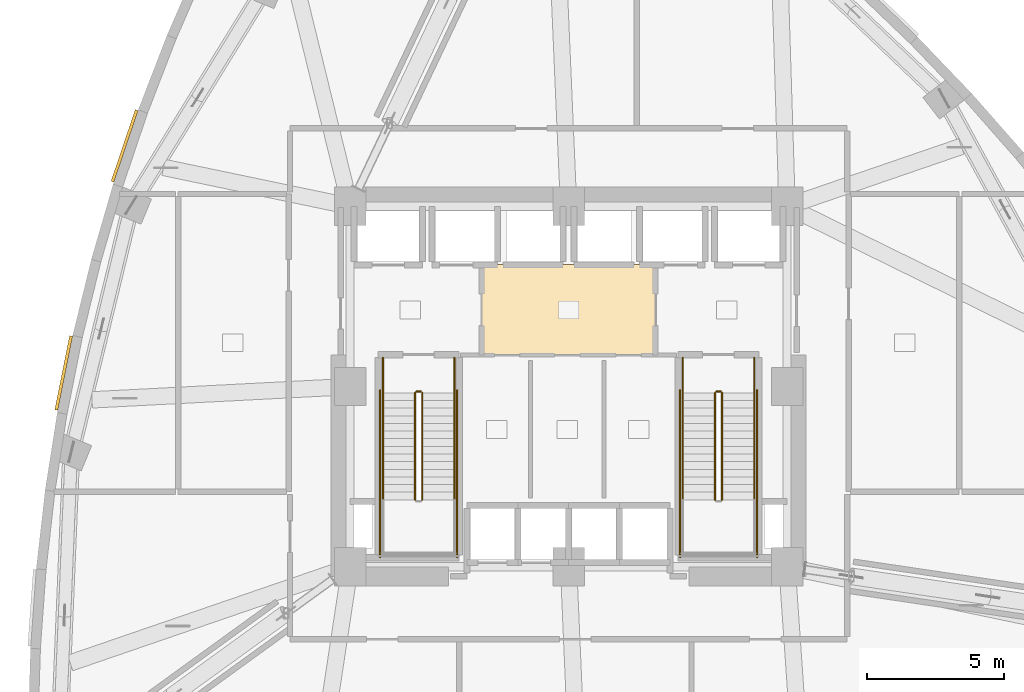
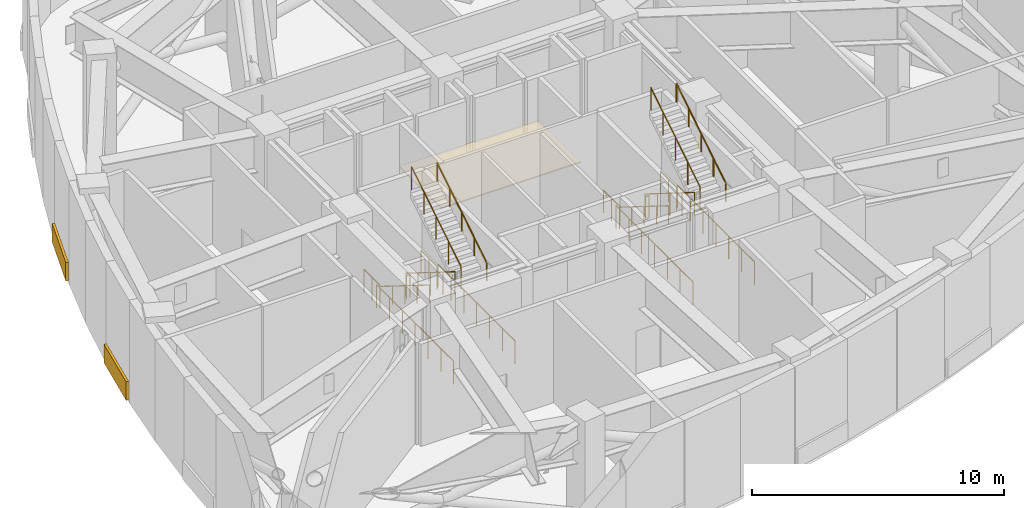
# One storey, part 12 of 13: 18 railings, 3 coverings.
"""IFC4 building model written with IfcOpenShell, lengths in metres."""

import ifcopenshell
import ifcopenshell.guid

model = None  # the IFC model being written
_history = None  # IfcOwnerHistory: only IFC2X3 demands one
_inside = {}  # id of a spatial element -> (the spatial element, [elements in it])
_under = {}  # id of a project, library or spatial element -> (it, [spatial elements below it])
_declared = {}  # id of a project -> (the project, [libraries it declares])
_typed = {}  # id of a type object -> (the type object, [elements of that type])
_made_of = {}  # id of a material, layer set ... -> (it, [elements and type objects made of it])


def new_model(schema):
    """Start an empty IFC model of exactly this schema.

    Asked for "IFC4X3", IfcOpenShell would pick the latest addendum, in which some entities
    have other attributes; the version numbers below select the first issue.
    IFC2X3 requires an IfcOwnerHistory on every rooted entity: one is made here for all.
    """
    global model, _history
    if schema == "IFC4X3":
        model = ifcopenshell.file(schema_version=(4, 3, 0, 0))
    else:
        model = ifcopenshell.file(schema=schema)
    _inside.clear()
    _under.clear()
    _declared.clear()
    _typed.clear()
    _made_of.clear()
    _history = None
    if model.schema == "IFC2X3":
        org = make("IfcOrganization", Name="unknown")
        user = make(
            "IfcPersonAndOrganization",
            ThePerson=make("IfcPerson", FamilyName="unknown"),
            TheOrganization=org,
        )
        app = make(
            "IfcApplication",
            ApplicationDeveloper=org,
            Version="unknown",
            ApplicationFullName="unknown",
            ApplicationIdentifier="unknown",
        )
        _history = make(
            "IfcOwnerHistory",
            OwningUser=user,
            OwningApplication=app,
            ChangeAction="ADDED",
            CreationDate=0,
        )
    return model


def make(cls, **values):
    """One entity of the class cls with the attributes given. An attribute that is None is left unset."""
    return model.create_entity(
        cls, **{name: value for name, value in values.items() if value is not None}
    )


def rooted(cls, **values):
    """An entity with a GlobalId (a new one), such as an element, a storey or a relation."""
    return make(cls, GlobalId=ifcopenshell.guid.new(), OwnerHistory=_history, **values)


def si_unit(unit_type, name, prefix=None):
    """IfcSIUnit, for example si_unit("LENGTHUNIT", "METRE", prefix="MILLI")."""
    return make("IfcSIUnit", UnitType=unit_type, Prefix=prefix, Name=name)


def assignment(units):
    """IfcUnitAssignment: the units of a project."""
    return None if units is None else make("IfcUnitAssignment", Units=units)


def point(xyz):
    """IfcCartesianPoint."""
    return None if xyz is None else make("IfcCartesianPoint", Coordinates=xyz)


def direction(xyz):
    """IfcDirection."""
    return None if xyz is None else make("IfcDirection", DirectionRatios=xyz)


def frame(location, z_axis=None, x_axis=None):
    """IfcAxis2Placement3D, a coordinate frame: its origin and axes. An axis left out is left unset."""
    return make(
        "IfcAxis2Placement3D",
        Location=point(location),
        Axis=direction(z_axis),
        RefDirection=direction(x_axis),
    )


def frame_2d(location, x_axis=None):
    """IfcAxis2Placement2D, a coordinate frame in the plane: its origin and x axis."""
    return make(
        "IfcAxis2Placement2D", Location=point(location), RefDirection=direction(x_axis)
    )


def origin():
    """The frame at (0, 0, 0) with its axes left unset."""
    return frame((0.0, 0.0, 0.0))


def origin_2d():
    """The frame at (0, 0) in the plane with its x axis left unset."""
    return frame_2d((0.0, 0.0))


def place(relative_to, where):
    """IfcLocalPlacement: puts the frame where relative to a parent placement (None: the world)."""
    return make(
        "IfcLocalPlacement", PlacementRelTo=relative_to, RelativePlacement=where
    )


def context(
    kind, dimensions, precision=None, world=None, true_north=None, identifier=None
):
    """IfcGeometricRepresentationContext, for example the 3D "Model" context."""
    return make(
        "IfcGeometricRepresentationContext",
        ContextIdentifier=identifier,
        ContextType=kind,
        CoordinateSpaceDimension=dimensions,
        Precision=precision,
        WorldCoordinateSystem=world,
        TrueNorth=true_north,
    )


def subcontext(parent, identifier, kind, view, scale=None):
    """IfcGeometricRepresentationSubContext, for example "Body" below "Model"."""
    return make(
        "IfcGeometricRepresentationSubContext",
        ContextIdentifier=identifier,
        ContextType=kind,
        ParentContext=parent,
        TargetScale=scale,
        TargetView=view,
    )


def project(units=None, contexts=None):
    """IfcProject with its units and contexts."""
    return rooted(
        "IfcProject",
        Name="project",
        RepresentationContexts=contexts,
        UnitsInContext=assignment(units),
    )


def spatial(cls, under=None, at=None, **own):
    """A site, building, storey or space (cls), placed at a placement, below another one or the project."""
    s = rooted(cls, ObjectPlacement=at, **own)
    if under is not None:
        _under.setdefault(under.id(), (under, []))[1].append(s)
    return s


def profile(cls, at=None, kind="AREA", **sizes):
    """A parametric profile (cls). Its sizes go by their IFC names, for example OverallWidth=200.0."""
    return make(cls, ProfileType=kind, Position=at, **sizes)


def rectangle(**sizes):
    """IfcRectangleProfileDef."""
    return profile("IfcRectangleProfileDef", **sizes)


def circle(**sizes):
    """IfcCircleProfileDef."""
    return profile("IfcCircleProfileDef", **sizes)


def extrude(swept, where, along, depth):
    """IfcExtrudedAreaSolid: the profile swept, set in the frame where, extruded along a direction by depth."""
    return make(
        "IfcExtrudedAreaSolid",
        SweptArea=swept,
        Position=where,
        ExtrudedDirection=direction(along),
        Depth=depth,
    )


def shape(context_of_items, identifier, shape_type, items):
    """IfcShapeRepresentation: the items that make up one representation, for example the "Body"."""
    return make(
        "IfcShapeRepresentation",
        ContextOfItems=context_of_items,
        RepresentationIdentifier=identifier,
        RepresentationType=shape_type,
        Items=items,
    )


def material(Name=None, Category=None):
    """IfcMaterial."""
    return make("IfcMaterial", Name=Name, Category=Category)


def layer(
    of_material, thickness, ventilated=None, Name=None, Category=None, Priority=None
):
    """IfcMaterialLayer: one layer of a wall or slab, of a material (None: an air gap)."""
    return make(
        "IfcMaterialLayer",
        Material=of_material,
        LayerThickness=thickness,
        IsVentilated=ventilated,
        Name=Name,
        Category=Category,
        Priority=Priority,
    )


def layer_set(layers, Name=None):
    """IfcMaterialLayerSet."""
    return make("IfcMaterialLayerSet", MaterialLayers=layers, LayerSetName=Name)


def made_of(thing, what):
    """Note that an element or type object is made of a material, layer set ...; save() writes the relation."""
    if what is not None:
        _made_of.setdefault(what.id(), (what, []))[1].append(thing)
    return thing


def type_object(cls, material=None, **own):
    """A type object (cls), such as IfcWallType, which elements share."""
    return made_of(rooted(cls, **own), material)


def element(
    cls,
    number,
    at=None,
    inside=None,
    cuts=None,
    type_object=None,
    material=None,
    context=None,
    identifier="Body",
    shape_type=None,
    held_by="IfcProductDefinitionShape",
    body=None,
    shapes=None,
    **own,
):
    """One element of the class cls, such as IfcWall. Its Tag is "e" and its number.

    at: its placement. inside: the storey or other place that contains it. cuts: it is an
    opening in that element (IfcRelVoidsElement). A single representation is given by context,
    identifier, shape_type and body (its items); several are given by shapes. held_by: the class
    of the entity that holds the representations. save() writes the other relations.
    """
    e = rooted(cls, Tag="e%d" % number, ObjectPlacement=at, **own)
    if body is not None:
        shapes = [shape(context, identifier, shape_type, body)]
    if shapes is not None:
        e.Representation = make(held_by, Representations=shapes)
    if inside is not None:
        _inside.setdefault(inside.id(), (inside, []))[1].append(e)
    if cuts is not None:
        rooted(
            "IfcRelVoidsElement", RelatingBuildingElement=cuts, RelatedOpeningElement=e
        )
    if type_object is not None:
        _typed.setdefault(type_object.id(), (type_object, []))[1].append(e)
    return made_of(e, material)


def aggregate(whole, parts):
    """IfcRelAggregates: a whole, such as a stair, and the parts it consists of."""
    return rooted("IfcRelAggregates", RelatingObject=whole, RelatedObjects=parts)


def save(model, path):
    """Write the relations noted so far, then the file.

    IfcRelAggregates (storeys below a building ...), IfcRelContainedInSpatialStructure (elements
    in a storey), IfcRelDefinesByType, IfcRelAssociatesMaterial and IfcRelDeclares: one each for
    every whole, place, type object, material and project.
    """
    for whole, parts in _under.values():
        aggregate(whole, parts)
    for where, things in _inside.values():
        rooted(
            "IfcRelContainedInSpatialStructure",
            RelatedElements=things,
            RelatingStructure=where,
        )
    for kind, things in _typed.values():
        rooted("IfcRelDefinesByType", RelatedObjects=things, RelatingType=kind)
    for what, things in _made_of.values():
        rooted("IfcRelAssociatesMaterial", RelatedObjects=things, RelatingMaterial=what)
    for by, libraries in _declared.values():
        rooted("IfcRelDeclares", RelatingContext=by, RelatedDefinitions=libraries)
    model.write(path)


model = new_model("IFC4")

# Units and contexts
model_context = context("Model", 3, precision=1e-05, world=origin(), true_north=direction((0.0, 1.0)))
body_context = subcontext(model_context, "Body", "Model", "MODEL_VIEW")
ifc_project = project(units=[si_unit("LENGTHUNIT", "METRE"), si_unit("AREAUNIT", "SQUARE_METRE"), si_unit("VOLUMEUNIT", "CUBIC_METRE"), si_unit("PLANEANGLEUNIT", "RADIAN"), si_unit("MASSUNIT", "GRAM", prefix="KILO")], contexts=[model_context])

# Site, building, storey
site_placement = place(None, origin())
site = spatial("IfcSite", under=ifc_project, at=site_placement, CompositionType="ELEMENT")
building_placement = place(site_placement, origin())
building = spatial("IfcBuilding", under=site, at=building_placement, Name="Ndelora Gate Hotel", CompositionType="ELEMENT")
storey_placement = place(building_placement, frame((0.0, 0.0, 83.0)))
storey = spatial("IfcBuildingStorey", under=building, at=storey_placement, Name="L20", CompositionType="ELEMENT", Elevation=83.0)

# Coverings
ifc_material_1 = material(Name="Perforated Acoustic Gypsum Board", Category="gypsum")
ifc_layer_1 = layer(ifc_material_1, 0.054931640625)
ifc_layer_set_1 = layer_set([ifc_layer_1], Name="Perforated Acoustic Gypsum Board")
covering_type_1 = type_object("IfcCoveringType", Name="COV-CEIL-AC60", PredefinedType="CEILING", material=ifc_layer_set_1)
covering_placement = place(storey_placement, frame((0.0, 2.800048828125, 2.72265625), z_axis=(0.0, 0.0, 1.0), x_axis=(1.0, 0.0, 0.0)))
element("IfcCovering", 1, at=covering_placement, inside=storey, type_object=covering_type_1, Name="L20 Lift Lobby Acoustic Ceiling", PredefinedType="CEILING", context=body_context, shape_type="SweptSolid", body=[
    extrude(rectangle(XDim=6.39990234375, YDim=3.340087890625, at=origin_2d()), origin(), (0.0, 0.0, 1.0), 0.054931640625),
])
ifc_material_2 = material(Name="Terracotta Fired Clay Brick Slip Cladding", Category="masonry")
ifc_layer_2 = layer(ifc_material_2, 0.110107421875)
ifc_layer_set_2 = layer_set([ifc_layer_2], Name="Terracotta Fired Clay Brick Slip Cladding")
covering_type_2 = type_object("IfcCoveringType", Name="COV-CLAD-BRK", PredefinedType="CLADDING", material=ifc_layer_set_2)
for number, where, z_axis, x_axis, name in (
    (2, (-16.257568359375, 8.8115234375, 0.10009765625), (0.0, 0.0, 1.0), (0.320116988518, 0.947378020466, 0.0), "L20 Rounded-Corner Brick Cladding Band 13"),
    (3, (-18.485107421875, 0.497802734375, 0.10009765625), (0.0, 0.0, 1.0), (0.196459565994, 0.98051192697, 0.0), "L20 Rounded-Corner Brick Cladding Band 16"),
):
    element("IfcCovering", number, at=place(storey_placement, frame(where, z_axis=z_axis, x_axis=x_axis)), inside=storey, type_object=covering_type_2, Name=name, PredefinedType="CLADDING", context=body_context, shape_type="SweptSolid", body=[
        extrude(rectangle(XDim=2.764892578125, YDim=0.110107421875, at=origin_2d()), origin(), (0.0, 0.0, 1.0), 0.89990234375),
    ])

# Railings
ifc_material_3 = material(Name="Painted Galvanized Steel Balustrade", Category="steel")
ifc_layer_3 = layer(ifc_material_3, 0.06005859375)
ifc_layer_set_3 = layer_set([ifc_layer_3], Name="Painted Galvanized Steel Balustrade")
railing_type_1 = type_object("IfcRailingType", Name="RL-STAIR-GD", PredefinedType="GUARDRAIL", material=ifc_layer_set_3)
railing_1_placement = place(storey_placement, frame((-5.6201171875, -0.22998046875, 0.175048828125)))
element("IfcRailing", 4, at=railing_1_placement, inside=storey, type_object=railing_type_1, Name="L20 ST4 stair guard 1", PredefinedType="GUARDRAIL", context=body_context, shape_type="SweptSolid", body=[
    extrude(circle(Radius=0.02392578125, at=origin_2d()), frame((0.0, 0.0, 1.10595703125), z_axis=(0.0, -0.847998304005, 0.529998940003), x_axis=(1.0, 0.0, 0.0)), (0.0, 0.0, 1.0), 4.62255859375),
    extrude(circle(Radius=0.02099609375, at=origin_2d()), origin(), (0.0, 0.0, 1.0), 1.081787109375),
    extrude(circle(Radius=0.02099609375, at=origin_2d()), frame((0.0, -0.97998046875, 0.612548828125)), (0.0, 0.0, 1.0), 1.081787109375),
    extrude(circle(Radius=0.02099609375, at=origin_2d()), frame((0.0, -1.9599609375, 1.22509765625)), (0.0, 0.0, 1.0), 1.081787109375),
    extrude(circle(Radius=0.02099609375, at=origin_2d()), frame((0.0, -2.93994140625, 1.83740234375)), (0.0, 0.0, 1.0), 1.081787109375),
    extrude(circle(Radius=0.02099609375, at=origin_2d()), frame((0.0, -3.919921875, 2.449951171875)), (0.0, 0.0, 1.0), 1.081787109375),
])
railing_2_placement = place(storey_placement, frame((-5.360107421875, -4.14990234375, 2.800048828125)))
element("IfcRailing", 5, at=railing_2_placement, inside=storey, type_object=railing_type_1, Name="L20 ST4 stair guard 6", PredefinedType="GUARDRAIL", context=body_context, shape_type="SweptSolid", body=[
    extrude(circle(Radius=0.02392578125, at=origin_2d()), frame((0.0, 0.0, 1.10595703125), z_axis=(0.0, 0.847998304005, 0.529998940003), x_axis=(-1.0, 0.0, 0.0)), (0.0, 0.0, 1.0), 4.62255859375),
    extrude(circle(Radius=0.02099609375, at=origin_2d()), origin(), (0.0, 0.0, 1.0), 1.081787109375),
    extrude(circle(Radius=0.02099609375, at=origin_2d()), frame((0.0, 0.97998046875, 0.612548828125)), (0.0, 0.0, 1.0), 1.081787109375),
    extrude(circle(Radius=0.02099609375, at=origin_2d()), frame((0.0, 1.9599609375, 1.22509765625)), (0.0, 0.0, 1.0), 1.081787109375),
    extrude(circle(Radius=0.02099609375, at=origin_2d()), frame((0.0, 2.93994140625, 1.83740234375)), (0.0, 0.0, 1.0), 1.081787109375),
    extrude(circle(Radius=0.02099609375, at=origin_2d()), frame((0.0, 3.919921875, 2.449951171875)), (0.0, 0.0, 1.0), 1.081787109375),
])
railing_3_placement = place(storey_placement, frame((-5.570068359375, -0.179931640625, 0.0)))
element("IfcRailing", 6, at=railing_3_placement, inside=storey, type_object=railing_type_1, Name="L20 ST4 stair guard 7", PredefinedType="GUARDRAIL", context=body_context, shape_type="SweptSolid", body=[
    extrude(circle(Radius=0.02392578125, at=origin_2d()), frame((0.0, 0.0, 1.10595703125), z_axis=(1.0, 0.0, 0.0), x_axis=(0.0, 1.0, 0.0)), (0.0, 0.0, 1.0), 0.16015625),
    extrude(circle(Radius=0.02099609375, at=origin_2d()), origin(), (0.0, 0.0, 1.0), 1.081787109375),
    extrude(circle(Radius=0.02099609375, at=origin_2d()), frame((0.16015625, 0.0, 0.0)), (0.0, 0.0, 1.0), 1.081787109375),
])
for number, where, name in (
    (7, (-6.800048828125, 1.050048828125, 0.0), "L20 ST4 stair guard 8"),
    (8, (-4.179931640625, 1.050048828125, 0.0), "L20 ST4 stair guard 9"),
):
    element("IfcRailing", number, at=place(storey_placement, frame(where)), inside=storey, type_object=railing_type_1, Name=name, PredefinedType="GUARDRAIL", context=body_context, shape_type="SweptSolid", body=[
        extrude(circle(Radius=0.02392578125, at=origin_2d()), frame((0.0, 0.0, 1.10595703125), z_axis=(0.0, -1.0, 0.0), x_axis=(1.0, 0.0, 0.0)), (0.0, 0.0, 1.0), 1.280029296875),
        extrude(circle(Radius=0.02099609375, at=origin_2d()), origin(), (0.0, 0.0, 1.0), 1.081787109375),
        extrude(circle(Radius=0.02099609375, at=origin_2d()), frame((0.0, -0.64013671875, 0.0)), (0.0, 0.0, 1.0), 1.081787109375),
        extrude(circle(Radius=0.02099609375, at=origin_2d()), frame((0.0, -1.280029296875, 0.0)), (0.0, 0.0, 1.0), 1.081787109375),
    ])
for number, where, name in (
    (9, (-6.89990234375, -0.1298828125, 0.0), "L20 ST4 stair guard 10"),
    (10, (-4.080078125, -0.1298828125, 0.0), "L20 ST4 stair guard 11"),
):
    element("IfcRailing", number, at=place(storey_placement, frame(where)), inside=storey, type_object=railing_type_1, Name=name, PredefinedType="GUARDRAIL", context=body_context, shape_type="SweptSolid", body=[
        extrude(circle(Radius=0.02392578125, at=origin_2d()), frame((0.0, 0.0, 1.10595703125), z_axis=(0.0, -1.0, 0.0), x_axis=(1.0, 0.0, 0.0)), (0.0, 0.0, 1.0), 6.1201171875),
        extrude(circle(Radius=0.02099609375, at=origin_2d()), origin(), (0.0, 0.0, 1.0), 1.081787109375),
        extrude(circle(Radius=0.02099609375, at=origin_2d()), frame((0.0, -1.02001953125, 0.0)), (0.0, 0.0, 1.0), 1.081787109375),
        extrude(circle(Radius=0.02099609375, at=origin_2d()), frame((0.0, -2.0400390625, 0.0)), (0.0, 0.0, 1.0), 1.081787109375),
        extrude(circle(Radius=0.02099609375, at=origin_2d()), frame((0.0, -3.06005859375, 0.0)), (0.0, 0.0, 1.0), 1.081787109375),
        extrude(circle(Radius=0.02099609375, at=origin_2d()), frame((0.0, -4.080078125, 0.0)), (0.0, 0.0, 1.0), 1.081787109375),
        extrude(circle(Radius=0.02099609375, at=origin_2d()), frame((0.0, -5.10009765625, 0.0)), (0.0, 0.0, 1.0), 1.081787109375),
        extrude(circle(Radius=0.02099609375, at=origin_2d()), frame((0.0, -6.1201171875, 0.0)), (0.0, 0.0, 1.0), 1.081787109375),
    ])
railing_4_placement = place(storey_placement, frame((5.360107421875, -0.22998046875, 0.175048828125)))
element("IfcRailing", 11, at=railing_4_placement, inside=storey, type_object=railing_type_1, Name="L20 ST5 stair guard 1", PredefinedType="GUARDRAIL", context=body_context, shape_type="SweptSolid", body=[
    extrude(circle(Radius=0.02392578125, at=origin_2d()), frame((0.0, 0.0, 1.10595703125), z_axis=(0.0, -0.847998304005, 0.529998940003), x_axis=(1.0, 0.0, 0.0)), (0.0, 0.0, 1.0), 4.62255859375),
    extrude(circle(Radius=0.02099609375, at=origin_2d()), origin(), (0.0, 0.0, 1.0), 1.081787109375),
    extrude(circle(Radius=0.02099609375, at=origin_2d()), frame((0.0, -0.97998046875, 0.612548828125)), (0.0, 0.0, 1.0), 1.081787109375),
    extrude(circle(Radius=0.02099609375, at=origin_2d()), frame((0.0, -1.9599609375, 1.22509765625)), (0.0, 0.0, 1.0), 1.081787109375),
    extrude(circle(Radius=0.02099609375, at=origin_2d()), frame((0.0, -2.93994140625, 1.83740234375)), (0.0, 0.0, 1.0), 1.081787109375),
    extrude(circle(Radius=0.02099609375, at=origin_2d()), frame((0.0, -3.919921875, 2.449951171875)), (0.0, 0.0, 1.0), 1.081787109375),
])
railing_5_placement = place(storey_placement, frame((5.6201171875, -4.14990234375, 2.800048828125)))
element("IfcRailing", 12, at=railing_5_placement, inside=storey, type_object=railing_type_1, Name="L20 ST5 stair guard 6", PredefinedType="GUARDRAIL", context=body_context, shape_type="SweptSolid", body=[
    extrude(circle(Radius=0.02392578125, at=origin_2d()), frame((0.0, 0.0, 1.10595703125), z_axis=(0.0, 0.847998304005, 0.529998940003), x_axis=(-1.0, 0.0, 0.0)), (0.0, 0.0, 1.0), 4.62255859375),
    extrude(circle(Radius=0.02099609375, at=origin_2d()), origin(), (0.0, 0.0, 1.0), 1.081787109375),
    extrude(circle(Radius=0.02099609375, at=origin_2d()), frame((0.0, 0.97998046875, 0.612548828125)), (0.0, 0.0, 1.0), 1.081787109375),
    extrude(circle(Radius=0.02099609375, at=origin_2d()), frame((0.0, 1.9599609375, 1.22509765625)), (0.0, 0.0, 1.0), 1.081787109375),
    extrude(circle(Radius=0.02099609375, at=origin_2d()), frame((0.0, 2.93994140625, 1.83740234375)), (0.0, 0.0, 1.0), 1.081787109375),
    extrude(circle(Radius=0.02099609375, at=origin_2d()), frame((0.0, 3.919921875, 2.449951171875)), (0.0, 0.0, 1.0), 1.081787109375),
])
railing_6_placement = place(storey_placement, frame((5.409912109375, -0.179931640625, 0.0)))
element("IfcRailing", 13, at=railing_6_placement, inside=storey, type_object=railing_type_1, Name="L20 ST5 stair guard 7", PredefinedType="GUARDRAIL", context=body_context, shape_type="SweptSolid", body=[
    extrude(circle(Radius=0.02392578125, at=origin_2d()), frame((0.0, 0.0, 1.10595703125), z_axis=(1.0, 0.0, 0.0), x_axis=(0.0, 1.0, 0.0)), (0.0, 0.0, 1.0), 0.16015625),
    extrude(circle(Radius=0.02099609375, at=origin_2d()), origin(), (0.0, 0.0, 1.0), 1.081787109375),
    extrude(circle(Radius=0.02099609375, at=origin_2d()), frame((0.16015625, 0.0, 0.0)), (0.0, 0.0, 1.0), 1.081787109375),
])
for number, where, name in (
    (14, (4.179931640625, 1.050048828125, 0.0), "L20 ST5 stair guard 8"),
    (15, (6.800048828125, 1.050048828125, 0.0), "L20 ST5 stair guard 9"),
):
    element("IfcRailing", number, at=place(storey_placement, frame(where)), inside=storey, type_object=railing_type_1, Name=name, PredefinedType="GUARDRAIL", context=body_context, shape_type="SweptSolid", body=[
        extrude(circle(Radius=0.02392578125, at=origin_2d()), frame((0.0, 0.0, 1.10595703125), z_axis=(0.0, -1.0, 0.0), x_axis=(1.0, 0.0, 0.0)), (0.0, 0.0, 1.0), 1.280029296875),
        extrude(circle(Radius=0.02099609375, at=origin_2d()), origin(), (0.0, 0.0, 1.0), 1.081787109375),
        extrude(circle(Radius=0.02099609375, at=origin_2d()), frame((0.0, -0.64013671875, 0.0)), (0.0, 0.0, 1.0), 1.081787109375),
        extrude(circle(Radius=0.02099609375, at=origin_2d()), frame((0.0, -1.280029296875, 0.0)), (0.0, 0.0, 1.0), 1.081787109375),
    ])
for number, where, name in (
    (16, (4.080078125, -0.1298828125, 0.0), "L20 ST5 stair guard 10"),
    (17, (6.89990234375, -0.1298828125, 0.0), "L20 ST5 stair guard 11"),
):
    element("IfcRailing", number, at=place(storey_placement, frame(where)), inside=storey, type_object=railing_type_1, Name=name, PredefinedType="GUARDRAIL", context=body_context, shape_type="SweptSolid", body=[
        extrude(circle(Radius=0.02392578125, at=origin_2d()), frame((0.0, 0.0, 1.10595703125), z_axis=(0.0, -1.0, 0.0), x_axis=(1.0, 0.0, 0.0)), (0.0, 0.0, 1.0), 6.1201171875),
        extrude(circle(Radius=0.02099609375, at=origin_2d()), origin(), (0.0, 0.0, 1.0), 1.081787109375),
        extrude(circle(Radius=0.02099609375, at=origin_2d()), frame((0.0, -1.02001953125, 0.0)), (0.0, 0.0, 1.0), 1.081787109375),
        extrude(circle(Radius=0.02099609375, at=origin_2d()), frame((0.0, -2.0400390625, 0.0)), (0.0, 0.0, 1.0), 1.081787109375),
        extrude(circle(Radius=0.02099609375, at=origin_2d()), frame((0.0, -3.06005859375, 0.0)), (0.0, 0.0, 1.0), 1.081787109375),
        extrude(circle(Radius=0.02099609375, at=origin_2d()), frame((0.0, -4.080078125, 0.0)), (0.0, 0.0, 1.0), 1.081787109375),
        extrude(circle(Radius=0.02099609375, at=origin_2d()), frame((0.0, -5.10009765625, 0.0)), (0.0, 0.0, 1.0), 1.081787109375),
        extrude(circle(Radius=0.02099609375, at=origin_2d()), frame((0.0, -6.1201171875, 0.0)), (0.0, 0.0, 1.0), 1.081787109375),
    ])
ifc_material_4 = material(Name="Brushed Stainless Steel 316", Category="steel")
ifc_layer_4 = layer(ifc_material_4, 0.050048828125)
ifc_layer_set_4 = layer_set([ifc_layer_4], Name="Brushed Stainless Steel 316")
railing_type_2 = type_object("IfcRailingType", Name="RL-STAIR-HR", PredefinedType="HANDRAIL", material=ifc_layer_set_4)
railing_7_placement = place(storey_placement, frame((-6.800048828125, -0.22998046875, 0.175048828125)))
element("IfcRailing", 18, at=railing_7_placement, inside=storey, type_object=railing_type_2, Name="L20 ST4 stair handrail 1", PredefinedType="HANDRAIL", context=body_context, shape_type="SweptSolid", body=[
    extrude(circle(Radius=0.02392578125, at=origin_2d()), frame((0.0, 0.0, 0.8759765625), z_axis=(0.0, -0.847998304005, 0.529998940003), x_axis=(1.0, 0.0, 0.0)), (0.0, 0.0, 1.0), 4.62255859375),
    extrude(circle(Radius=0.02099609375, at=origin_2d()), origin(), (0.0, 0.0, 1.0), 0.851806640625),
    extrude(circle(Radius=0.02099609375, at=origin_2d()), frame((0.0, -0.97998046875, 0.612548828125)), (0.0, 0.0, 1.0), 0.851806640625),
    extrude(circle(Radius=0.02099609375, at=origin_2d()), frame((0.0, -1.9599609375, 1.22509765625)), (0.0, 0.0, 1.0), 0.851806640625),
    extrude(circle(Radius=0.02099609375, at=origin_2d()), frame((0.0, -2.93994140625, 1.83740234375)), (0.0, 0.0, 1.0), 0.851806640625),
    extrude(circle(Radius=0.02099609375, at=origin_2d()), frame((0.0, -3.919921875, 2.449951171875)), (0.0, 0.0, 1.0), 0.851806640625),
])
railing_8_placement = place(storey_placement, frame((-4.179931640625, -4.14990234375, 2.800048828125)))
element("IfcRailing", 19, at=railing_8_placement, inside=storey, type_object=railing_type_2, Name="L20 ST4 stair handrail 2", PredefinedType="HANDRAIL", context=body_context, shape_type="SweptSolid", body=[
    extrude(circle(Radius=0.02392578125, at=origin_2d()), frame((0.0, 0.0, 0.8759765625), z_axis=(0.0, 0.847998304005, 0.529998940003), x_axis=(-1.0, 0.0, 0.0)), (0.0, 0.0, 1.0), 4.62255859375),
    extrude(circle(Radius=0.02099609375, at=origin_2d()), origin(), (0.0, 0.0, 1.0), 0.851806640625),
    extrude(circle(Radius=0.02099609375, at=origin_2d()), frame((0.0, 0.97998046875, 0.612548828125)), (0.0, 0.0, 1.0), 0.851806640625),
    extrude(circle(Radius=0.02099609375, at=origin_2d()), frame((0.0, 1.9599609375, 1.22509765625)), (0.0, 0.0, 1.0), 0.851806640625),
    extrude(circle(Radius=0.02099609375, at=origin_2d()), frame((0.0, 2.93994140625, 1.83740234375)), (0.0, 0.0, 1.0), 0.851806640625),
    extrude(circle(Radius=0.02099609375, at=origin_2d()), frame((0.0, 3.919921875, 2.449951171875)), (0.0, 0.0, 1.0), 0.851806640625),
])
railing_9_placement = place(storey_placement, frame((4.179931640625, -0.22998046875, 0.175048828125)))
element("IfcRailing", 20, at=railing_9_placement, inside=storey, type_object=railing_type_2, Name="L20 ST5 stair handrail 1", PredefinedType="HANDRAIL", context=body_context, shape_type="SweptSolid", body=[
    extrude(circle(Radius=0.02392578125, at=origin_2d()), frame((0.0, 0.0, 0.8759765625), z_axis=(0.0, -0.847998304005, 0.529998940003), x_axis=(1.0, 0.0, 0.0)), (0.0, 0.0, 1.0), 4.62255859375),
    extrude(circle(Radius=0.02099609375, at=origin_2d()), origin(), (0.0, 0.0, 1.0), 0.851806640625),
    extrude(circle(Radius=0.02099609375, at=origin_2d()), frame((0.0, -0.97998046875, 0.612548828125)), (0.0, 0.0, 1.0), 0.851806640625),
    extrude(circle(Radius=0.02099609375, at=origin_2d()), frame((0.0, -1.9599609375, 1.22509765625)), (0.0, 0.0, 1.0), 0.851806640625),
    extrude(circle(Radius=0.02099609375, at=origin_2d()), frame((0.0, -2.93994140625, 1.83740234375)), (0.0, 0.0, 1.0), 0.851806640625),
    extrude(circle(Radius=0.02099609375, at=origin_2d()), frame((0.0, -3.919921875, 2.449951171875)), (0.0, 0.0, 1.0), 0.851806640625),
])
railing_10_placement = place(storey_placement, frame((6.800048828125, -4.14990234375, 2.800048828125)))
element("IfcRailing", 21, at=railing_10_placement, inside=storey, type_object=railing_type_2, Name="L20 ST5 stair handrail 2", PredefinedType="HANDRAIL", context=body_context, shape_type="SweptSolid", body=[
    extrude(circle(Radius=0.02392578125, at=origin_2d()), frame((0.0, 0.0, 0.8759765625), z_axis=(0.0, 0.847998304005, 0.529998940003), x_axis=(-1.0, 0.0, 0.0)), (0.0, 0.0, 1.0), 4.62255859375),
    extrude(circle(Radius=0.02099609375, at=origin_2d()), origin(), (0.0, 0.0, 1.0), 0.851806640625),
    extrude(circle(Radius=0.02099609375, at=origin_2d()), frame((0.0, 0.97998046875, 0.612548828125)), (0.0, 0.0, 1.0), 0.851806640625),
    extrude(circle(Radius=0.02099609375, at=origin_2d()), frame((0.0, 1.9599609375, 1.22509765625)), (0.0, 0.0, 1.0), 0.851806640625),
    extrude(circle(Radius=0.02099609375, at=origin_2d()), frame((0.0, 2.93994140625, 1.83740234375)), (0.0, 0.0, 1.0), 0.851806640625),
    extrude(circle(Radius=0.02099609375, at=origin_2d()), frame((0.0, 3.919921875, 2.449951171875)), (0.0, 0.0, 1.0), 0.851806640625),
])

save(model, "model.ifc")
